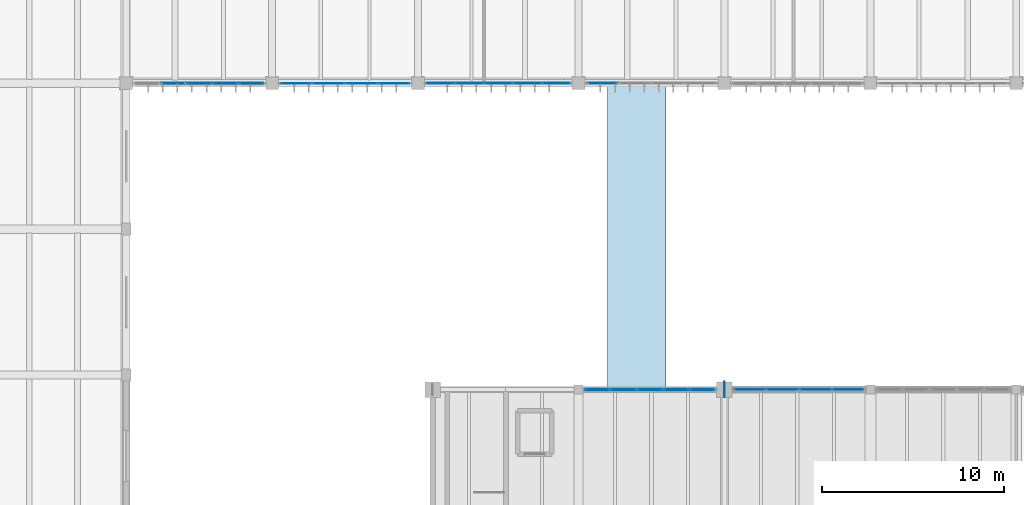
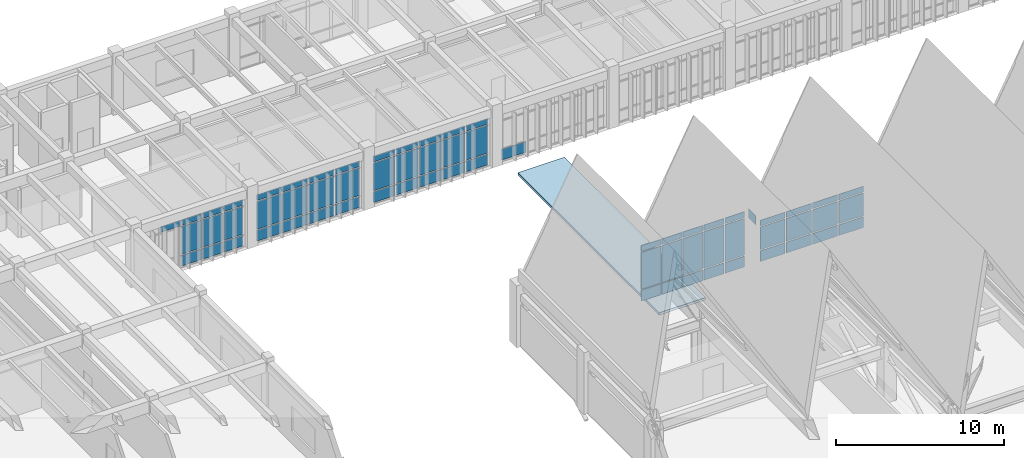
# One storey, part 34 of 72: 66 plates, 1 slab, 6 elements without a shape of their own.
"""IFC4 building model written with IfcOpenShell, lengths in metres."""

from ifc_helpers import new_model, si_unit, direction, frame, origin, origin_2d, place, context, subcontext, project, spatial, polyline, rectangle, outline, extrude, material, layer, layer_set, type_object, element, aggregate, save


model = new_model("IFC4")

# Units and contexts
model_context = context("Model", 3, precision=1e-05, world=origin(), true_north=direction((0.0, 1.0)))
body_context = subcontext(model_context, "Body", "Model", "MODEL_VIEW")
ifc_project = project(units=[si_unit("LENGTHUNIT", "METRE"), si_unit("AREAUNIT", "SQUARE_METRE"), si_unit("VOLUMEUNIT", "CUBIC_METRE"), si_unit("PLANEANGLEUNIT", "RADIAN"), si_unit("MASSUNIT", "GRAM", prefix="KILO")], contexts=[model_context])

# Site, building, storey
site_placement = place(None, origin())
site = spatial("IfcSite", under=ifc_project, at=site_placement, CompositionType="ELEMENT")
building_placement = place(site_placement, origin())
building = spatial("IfcBuilding", under=site, at=building_placement, Name="Tlaxcora Railside Police Headquarters", CompositionType="ELEMENT")
storey_placement = place(building_placement, frame((0.0, 0.0, 13.5)))
storey = spatial("IfcBuildingStorey", under=building, at=storey_placement, Name="L03", CompositionType="ELEMENT", Elevation=13.5)

# Curtain wall, plates
ifc_material_1 = material(Name="Thermally broken low-E insulated glazing", Category="glass")
curtain_wall_type_1 = type_object("IfcCurtainWallType", Name="Unitised Curtain Wall Assembly CW-23", PredefinedType="NOTDEFINED", material=ifc_material_1)
curtain_wall_1_placement = place(storey_placement, origin())
curtain_wall_1 = element("IfcCurtainWall", 1, at=curtain_wall_1_placement, inside=storey, type_object=curtain_wall_type_1, Name="V2 L03 curtain wall 20", PredefinedType="NOTDEFINED")
ifc_layer_1 = layer(ifc_material_1, 0.0400390625, Name="Thermally broken low-E insulated glazing")
ifc_layer_set_1 = layer_set([ifc_layer_1], Name="Thermally broken low-E insulated glazing")
plate_type_1 = type_object("IfcPlateType", Name="Curtain Wall Infill Panel CW-17", PredefinedType="CURTAIN_PANEL", material=ifc_layer_set_1)
plate_1_placement = place(storey_placement, frame((60.782470703125, 60.0, 0.080078125), z_axis=(0.0, 0.0, 1.0), x_axis=(-1.0, 0.0, 0.0)))
plate_1 = element("IfcPlate", 2, at=plate_1_placement, type_object=plate_type_1, Name="CW panel 1.1", PredefinedType="CURTAIN_PANEL", context=body_context, shape_type="SweptSolid", body=[
    extrude(rectangle(XDim=1.324951171875, YDim=0.0400390625, at=origin_2d()), origin(), (0.0, 0.0, 1.0), 0.780029296875),
])
plate_2_placement = place(storey_placement, frame((60.782470703125, 60.0, 0.93994140625), z_axis=(0.0, 0.0, 1.0), x_axis=(-1.0, 0.0, 0.0)))
plate_2 = element("IfcPlate", 3, at=plate_2_placement, type_object=plate_type_1, Name="CW panel 1.2", PredefinedType="CURTAIN_PANEL", context=body_context, shape_type="SweptSolid", body=[
    extrude(rectangle(XDim=1.324951171875, YDim=0.0400390625, at=origin_2d()), origin(), (0.0, 0.0, 1.0), 2.659912109375),
])
plate_3_placement = place(storey_placement, frame((60.782470703125, 60.0, 3.68017578125), z_axis=(0.0, 0.0, 1.0), x_axis=(-1.0, 0.0, 0.0)))
plate_3 = element("IfcPlate", 4, at=plate_3_placement, type_object=plate_type_1, Name="CW panel 1.3", PredefinedType="CURTAIN_PANEL", context=body_context, shape_type="SweptSolid", body=[
    extrude(rectangle(XDim=1.324951171875, YDim=0.0400390625, at=origin_2d()), origin(), (0.0, 0.0, 1.0), 0.409912109375),
])
plate_4_placement = place(storey_placement, frame((59.357421875, 60.0, 0.080078125), z_axis=(0.0, 0.0, 1.0), x_axis=(-1.0, 0.0, 0.0)))
plate_4 = element("IfcPlate", 5, at=plate_4_placement, type_object=plate_type_1, Name="CW panel 2.1", PredefinedType="CURTAIN_PANEL", context=body_context, shape_type="SweptSolid", body=[
    extrude(rectangle(XDim=1.364990234375, YDim=0.0400390625, at=origin_2d()), origin(), (0.0, 0.0, 1.0), 0.780029296875),
])
plate_5_placement = place(storey_placement, frame((59.357421875, 60.0, 0.93994140625), z_axis=(0.0, 0.0, 1.0), x_axis=(-1.0, 0.0, 0.0)))
plate_5 = element("IfcPlate", 6, at=plate_5_placement, type_object=plate_type_1, Name="CW panel 2.2", PredefinedType="CURTAIN_PANEL", context=body_context, shape_type="SweptSolid", body=[
    extrude(rectangle(XDim=1.364990234375, YDim=0.0400390625, at=origin_2d()), origin(), (0.0, 0.0, 1.0), 2.659912109375),
])
plate_6_placement = place(storey_placement, frame((59.357421875, 60.0, 3.68017578125), z_axis=(0.0, 0.0, 1.0), x_axis=(-1.0, 0.0, 0.0)))
plate_6 = element("IfcPlate", 7, at=plate_6_placement, type_object=plate_type_1, Name="CW panel 2.3", PredefinedType="CURTAIN_PANEL", context=body_context, shape_type="SweptSolid", body=[
    extrude(rectangle(XDim=1.364990234375, YDim=0.0400390625, at=origin_2d()), origin(), (0.0, 0.0, 1.0), 0.409912109375),
])
plate_7_placement = place(storey_placement, frame((57.91259765625, 60.0, 0.080078125), z_axis=(0.0, 0.0, 1.0), x_axis=(-1.0, 0.0, 0.0)))
plate_7 = element("IfcPlate", 8, at=plate_7_placement, type_object=plate_type_1, Name="CW panel 3.1", PredefinedType="CURTAIN_PANEL", context=body_context, shape_type="SweptSolid", body=[
    extrude(rectangle(XDim=1.364990234375, YDim=0.0400390625, at=origin_2d()), origin(), (0.0, 0.0, 1.0), 0.780029296875),
])
plate_8_placement = place(storey_placement, frame((57.91259765625, 60.0, 0.93994140625), z_axis=(0.0, 0.0, 1.0), x_axis=(-1.0, 0.0, 0.0)))
plate_8 = element("IfcPlate", 9, at=plate_8_placement, type_object=plate_type_1, Name="CW panel 3.2", PredefinedType="CURTAIN_PANEL", context=body_context, shape_type="SweptSolid", body=[
    extrude(rectangle(XDim=1.364990234375, YDim=0.0400390625, at=origin_2d()), origin(), (0.0, 0.0, 1.0), 2.659912109375),
])
plate_9_placement = place(storey_placement, frame((57.91259765625, 60.0, 3.68017578125), z_axis=(0.0, 0.0, 1.0), x_axis=(-1.0, 0.0, 0.0)))
plate_9 = element("IfcPlate", 10, at=plate_9_placement, type_object=plate_type_1, Name="CW panel 3.3", PredefinedType="CURTAIN_PANEL", context=body_context, shape_type="SweptSolid", body=[
    extrude(rectangle(XDim=1.364990234375, YDim=0.0400390625, at=origin_2d()), origin(), (0.0, 0.0, 1.0), 0.409912109375),
])
plate_10_placement = place(storey_placement, frame((56.467529296875, 60.0, 0.080078125), z_axis=(0.0, 0.0, 1.0), x_axis=(-1.0, 0.0, 0.0)))
plate_10 = element("IfcPlate", 11, at=plate_10_placement, type_object=plate_type_1, Name="CW panel 4.1", PredefinedType="CURTAIN_PANEL", context=body_context, shape_type="SweptSolid", body=[
    extrude(rectangle(XDim=1.364990234375, YDim=0.0400390625, at=origin_2d()), origin(), (0.0, 0.0, 1.0), 0.780029296875),
])
plate_11_placement = place(storey_placement, frame((56.467529296875, 60.0, 0.93994140625), z_axis=(0.0, 0.0, 1.0), x_axis=(-1.0, 0.0, 0.0)))
plate_11 = element("IfcPlate", 12, at=plate_11_placement, type_object=plate_type_1, Name="CW panel 4.2", PredefinedType="CURTAIN_PANEL", context=body_context, shape_type="SweptSolid", body=[
    extrude(rectangle(XDim=1.364990234375, YDim=0.0400390625, at=origin_2d()), origin(), (0.0, 0.0, 1.0), 2.659912109375),
])
plate_12_placement = place(storey_placement, frame((56.467529296875, 60.0, 3.68017578125), z_axis=(0.0, 0.0, 1.0), x_axis=(-1.0, 0.0, 0.0)))
plate_12 = element("IfcPlate", 13, at=plate_12_placement, type_object=plate_type_1, Name="CW panel 4.3", PredefinedType="CURTAIN_PANEL", context=body_context, shape_type="SweptSolid", body=[
    extrude(rectangle(XDim=1.364990234375, YDim=0.0400390625, at=origin_2d()), origin(), (0.0, 0.0, 1.0), 0.409912109375),
])
plate_13_placement = place(storey_placement, frame((55.04248046875, 60.0, 0.080078125), z_axis=(0.0, 0.0, 1.0), x_axis=(-1.0, 0.0, 0.0)))
plate_13 = element("IfcPlate", 14, at=plate_13_placement, type_object=plate_type_1, Name="CW panel 5.1", PredefinedType="CURTAIN_PANEL", context=body_context, shape_type="SweptSolid", body=[
    extrude(rectangle(XDim=1.324951171875, YDim=0.0400390625, at=origin_2d()), origin(), (0.0, 0.0, 1.0), 0.780029296875),
])
plate_14_placement = place(storey_placement, frame((55.04248046875, 60.0, 0.93994140625), z_axis=(0.0, 0.0, 1.0), x_axis=(-1.0, 0.0, 0.0)))
plate_14 = element("IfcPlate", 15, at=plate_14_placement, type_object=plate_type_1, Name="CW panel 5.2", PredefinedType="CURTAIN_PANEL", context=body_context, shape_type="SweptSolid", body=[
    extrude(rectangle(XDim=1.324951171875, YDim=0.0400390625, at=origin_2d()), origin(), (0.0, 0.0, 1.0), 2.659912109375),
])
plate_15_placement = place(storey_placement, frame((55.04248046875, 60.0, 3.68017578125), z_axis=(0.0, 0.0, 1.0), x_axis=(-1.0, 0.0, 0.0)))
plate_15 = element("IfcPlate", 16, at=plate_15_placement, type_object=plate_type_1, Name="CW panel 5.3", PredefinedType="CURTAIN_PANEL", context=body_context, shape_type="SweptSolid", body=[
    extrude(rectangle(XDim=1.324951171875, YDim=0.0400390625, at=origin_2d()), origin(), (0.0, 0.0, 1.0), 0.409912109375),
])
aggregate(curtain_wall_1, [plate_1, plate_2, plate_3, plate_4, plate_5, plate_6, plate_7, plate_8, plate_9, plate_10, plate_11, plate_12, plate_13, plate_14, plate_15])

curtain_wall_2_placement = place(storey_placement, origin())
curtain_wall_2 = element("IfcCurtainWall", 17, at=curtain_wall_2_placement, inside=storey, type_object=curtain_wall_type_1, Name="V5 L03 curtain wall 72", PredefinedType="NOTDEFINED")
plate_16_placement = place(storey_placement, frame((31.760009765625, 76.800048828125, 3.0302734375), z_axis=(0.0, 0.0, 1.0), x_axis=(1.0, 0.0, 0.0)))
plate_16 = element("IfcPlate", 18, at=plate_16_placement, type_object=plate_type_1, Name="CW panel 2.3", PredefinedType="CURTAIN_PANEL", context=body_context, shape_type="SweptSolid", body=[
    extrude(rectangle(XDim=1.360107421875, YDim=0.0400390625, at=origin_2d()), origin(), (0.0, 0.0, 1.0), 0.409912109375),
])
plate_17_placement = place(storey_placement, frame((33.199951171875, 76.800048828125, 0.080078125), z_axis=(0.0, 0.0, 1.0), x_axis=(1.0, 0.0, 0.0)))
plate_17 = element("IfcPlate", 19, at=plate_17_placement, type_object=plate_type_1, Name="CW panel 3.1", PredefinedType="CURTAIN_PANEL", context=body_context, shape_type="SweptSolid", body=[
    extrude(rectangle(XDim=1.360107421875, YDim=0.0400390625, at=origin_2d()), origin(), (0.0, 0.0, 1.0), 0.780029296875),
])
plate_18_placement = place(storey_placement, frame((33.199951171875, 76.800048828125, 0.93994140625), z_axis=(0.0, 0.0, 1.0), x_axis=(1.0, 0.0, 0.0)))
plate_18 = element("IfcPlate", 20, at=plate_18_placement, type_object=plate_type_1, Name="CW panel 3.2", PredefinedType="CURTAIN_PANEL", context=body_context, shape_type="SweptSolid", body=[
    extrude(rectangle(XDim=1.360107421875, YDim=0.0400390625, at=origin_2d()), origin(), (0.0, 0.0, 1.0), 2.010009765625),
])
plate_19_placement = place(storey_placement, frame((33.199951171875, 76.800048828125, 3.0302734375), z_axis=(0.0, 0.0, 1.0), x_axis=(1.0, 0.0, 0.0)))
plate_19 = element("IfcPlate", 21, at=plate_19_placement, type_object=plate_type_1, Name="CW panel 3.3", PredefinedType="CURTAIN_PANEL", context=body_context, shape_type="SweptSolid", body=[
    extrude(rectangle(XDim=1.360107421875, YDim=0.0400390625, at=origin_2d()), origin(), (0.0, 0.0, 1.0), 0.409912109375),
])
plate_20_placement = place(storey_placement, frame((34.639892578125, 76.800048828125, 0.080078125), z_axis=(0.0, 0.0, 1.0), x_axis=(1.0, 0.0, 0.0)))
plate_20 = element("IfcPlate", 22, at=plate_20_placement, type_object=plate_type_1, Name="CW panel 4.1", PredefinedType="CURTAIN_PANEL", context=body_context, shape_type="SweptSolid", body=[
    extrude(rectangle(XDim=1.360107421875, YDim=0.0400390625, at=origin_2d()), origin(), (0.0, 0.0, 1.0), 0.780029296875),
])
plate_21_placement = place(storey_placement, frame((34.639892578125, 76.800048828125, 0.93994140625), z_axis=(0.0, 0.0, 1.0), x_axis=(1.0, 0.0, 0.0)))
plate_21 = element("IfcPlate", 23, at=plate_21_placement, type_object=plate_type_1, Name="CW panel 4.2", PredefinedType="CURTAIN_PANEL", context=body_context, shape_type="SweptSolid", body=[
    extrude(rectangle(XDim=1.360107421875, YDim=0.0400390625, at=origin_2d()), origin(), (0.0, 0.0, 1.0), 2.010009765625),
])
plate_22_placement = place(storey_placement, frame((34.639892578125, 76.800048828125, 3.0302734375), z_axis=(0.0, 0.0, 1.0), x_axis=(1.0, 0.0, 0.0)))
plate_22 = element("IfcPlate", 24, at=plate_22_placement, type_object=plate_type_1, Name="CW panel 4.3", PredefinedType="CURTAIN_PANEL", context=body_context, shape_type="SweptSolid", body=[
    extrude(rectangle(XDim=1.360107421875, YDim=0.0400390625, at=origin_2d()), origin(), (0.0, 0.0, 1.0), 0.409912109375),
])
plate_23_placement = place(storey_placement, frame((36.06005859375, 76.800048828125, 0.080078125), z_axis=(0.0, 0.0, 1.0), x_axis=(1.0, 0.0, 0.0)))
plate_23 = element("IfcPlate", 25, at=plate_23_placement, type_object=plate_type_1, Name="CW panel 5.1", PredefinedType="CURTAIN_PANEL", context=body_context, shape_type="SweptSolid", body=[
    extrude(rectangle(XDim=1.320068359375, YDim=0.0400390625, at=origin_2d()), origin(), (0.0, 0.0, 1.0), 0.780029296875),
])
plate_24_placement = place(storey_placement, frame((36.06005859375, 76.800048828125, 0.93994140625), z_axis=(0.0, 0.0, 1.0), x_axis=(1.0, 0.0, 0.0)))
plate_24 = element("IfcPlate", 26, at=plate_24_placement, type_object=plate_type_1, Name="CW panel 5.2", PredefinedType="CURTAIN_PANEL", context=body_context, shape_type="SweptSolid", body=[
    extrude(rectangle(XDim=1.320068359375, YDim=0.0400390625, at=origin_2d()), origin(), (0.0, 0.0, 1.0), 2.010009765625),
])
plate_25_placement = place(storey_placement, frame((36.06005859375, 76.800048828125, 3.0302734375), z_axis=(0.0, 0.0, 1.0), x_axis=(1.0, 0.0, 0.0)))
plate_25 = element("IfcPlate", 27, at=plate_25_placement, type_object=plate_type_1, Name="CW panel 5.3", PredefinedType="CURTAIN_PANEL", context=body_context, shape_type="SweptSolid", body=[
    extrude(rectangle(XDim=1.320068359375, YDim=0.0400390625, at=origin_2d()), origin(), (0.0, 0.0, 1.0), 0.409912109375),
])
aggregate(curtain_wall_2, [plate_16, plate_17, plate_18, plate_19, plate_20, plate_21, plate_22, plate_23, plate_24, plate_25])

curtain_wall_type_2 = type_object("IfcCurtainWallType", Name="Unitised Curtain Wall Assembly CW-15", PredefinedType="NOTDEFINED", material=ifc_material_1)
curtain_wall_3_placement = place(storey_placement, origin())
curtain_wall_3 = element("IfcCurtainWall", 28, at=curtain_wall_3_placement, inside=storey, type_object=curtain_wall_type_2, Name="V5 L03 curtain wall 74", PredefinedType="NOTDEFINED")
ifc_layer_2 = layer(ifc_material_1, 0.031982421875, Name="Thermally broken low-E insulated glazing")
ifc_layer_set_2 = layer_set([ifc_layer_2], Name="Thermally broken low-E insulated glazing")
plate_type_2 = type_object("IfcPlateType", Name="Curtain Wall Infill Panel CW-41", PredefinedType="CURTAIN_PANEL", material=ifc_layer_set_2)
plate_26_placement = place(storey_placement, frame((46.418701171875, 76.800048828125, 0.074951171875), z_axis=(0.0, 0.0, 1.0), x_axis=(1.0, 0.0, 0.0)))
plate_26 = element("IfcPlate", 29, at=plate_26_placement, type_object=plate_type_2, Name="CW panel 1.1", PredefinedType="CURTAIN_PANEL", context=body_context, shape_type="SweptSolid", body=[
    extrude(rectangle(XDim=1.487548828125, YDim=0.031982421875, at=origin_2d()), origin(), (0.0, 0.0, 1.0), 0.78759765625),
])
plate_27_placement = place(storey_placement, frame((46.418701171875, 76.800048828125, 0.9375), z_axis=(0.0, 0.0, 1.0), x_axis=(1.0, 0.0, 0.0)))
plate_27 = element("IfcPlate", 30, at=plate_27_placement, type_object=plate_type_2, Name="CW panel 1.2", PredefinedType="CURTAIN_PANEL", context=body_context, shape_type="SweptSolid", body=[
    extrude(rectangle(XDim=1.487548828125, YDim=0.031982421875, at=origin_2d()), origin(), (0.0, 0.0, 1.0), 2.014892578125),
])
plate_28_placement = place(storey_placement, frame((46.418701171875, 76.800048828125, 3.027587890625), z_axis=(0.0, 0.0, 1.0), x_axis=(1.0, 0.0, 0.0)))
plate_28 = element("IfcPlate", 31, at=plate_28_placement, type_object=plate_type_2, Name="CW panel 1.3", PredefinedType="CURTAIN_PANEL", context=body_context, shape_type="SweptSolid", body=[
    extrude(rectangle(XDim=1.487548828125, YDim=0.031982421875, at=origin_2d()), origin(), (0.0, 0.0, 1.0), 0.41748046875),
])
plate_29_placement = place(storey_placement, frame((48.0, 76.800048828125, 0.074951171875), z_axis=(0.0, 0.0, 1.0), x_axis=(1.0, 0.0, 0.0)))
plate_29 = element("IfcPlate", 32, at=plate_29_placement, type_object=plate_type_2, Name="CW panel 2.1", PredefinedType="CURTAIN_PANEL", context=body_context, shape_type="SweptSolid", body=[
    extrude(rectangle(XDim=1.52490234375, YDim=0.031982421875, at=origin_2d()), origin(), (0.0, 0.0, 1.0), 0.78759765625),
])
plate_30_placement = place(storey_placement, frame((48.0, 76.800048828125, 0.9375), z_axis=(0.0, 0.0, 1.0), x_axis=(1.0, 0.0, 0.0)))
plate_30 = element("IfcPlate", 33, at=plate_30_placement, type_object=plate_type_2, Name="CW panel 2.2", PredefinedType="CURTAIN_PANEL", context=body_context, shape_type="SweptSolid", body=[
    extrude(rectangle(XDim=1.52490234375, YDim=0.031982421875, at=origin_2d()), origin(), (0.0, 0.0, 1.0), 2.014892578125),
])
plate_31_placement = place(storey_placement, frame((48.0, 76.800048828125, 3.027587890625), z_axis=(0.0, 0.0, 1.0), x_axis=(1.0, 0.0, 0.0)))
plate_31 = element("IfcPlate", 34, at=plate_31_placement, type_object=plate_type_2, Name="CW panel 2.3", PredefinedType="CURTAIN_PANEL", context=body_context, shape_type="SweptSolid", body=[
    extrude(rectangle(XDim=1.52490234375, YDim=0.031982421875, at=origin_2d()), origin(), (0.0, 0.0, 1.0), 0.41748046875),
])
plate_32_placement = place(storey_placement, frame((49.60009765625, 76.800048828125, 0.074951171875), z_axis=(0.0, 0.0, 1.0), x_axis=(1.0, 0.0, 0.0)))
plate_32 = element("IfcPlate", 35, at=plate_32_placement, type_object=plate_type_2, Name="CW panel 3.1", PredefinedType="CURTAIN_PANEL", context=body_context, shape_type="SweptSolid", body=[
    extrude(rectangle(XDim=1.52490234375, YDim=0.031982421875, at=origin_2d()), origin(), (0.0, 0.0, 1.0), 0.78759765625),
])
plate_33_placement = place(storey_placement, frame((49.60009765625, 76.800048828125, 0.9375), z_axis=(0.0, 0.0, 1.0), x_axis=(1.0, 0.0, 0.0)))
plate_33 = element("IfcPlate", 36, at=plate_33_placement, type_object=plate_type_2, Name="CW panel 3.2", PredefinedType="CURTAIN_PANEL", context=body_context, shape_type="SweptSolid", body=[
    extrude(rectangle(XDim=1.52490234375, YDim=0.031982421875, at=origin_2d()), origin(), (0.0, 0.0, 1.0), 2.014892578125),
])
plate_34_placement = place(storey_placement, frame((49.60009765625, 76.800048828125, 3.027587890625), z_axis=(0.0, 0.0, 1.0), x_axis=(1.0, 0.0, 0.0)))
plate_34 = element("IfcPlate", 37, at=plate_34_placement, type_object=plate_type_2, Name="CW panel 3.3", PredefinedType="CURTAIN_PANEL", context=body_context, shape_type="SweptSolid", body=[
    extrude(rectangle(XDim=1.52490234375, YDim=0.031982421875, at=origin_2d()), origin(), (0.0, 0.0, 1.0), 0.41748046875),
])
plate_35_placement = place(storey_placement, frame((51.199951171875, 76.800048828125, 0.074951171875), z_axis=(0.0, 0.0, 1.0), x_axis=(1.0, 0.0, 0.0)))
plate_35 = element("IfcPlate", 38, at=plate_35_placement, type_object=plate_type_2, Name="CW panel 4.1", PredefinedType="CURTAIN_PANEL", context=body_context, shape_type="SweptSolid", body=[
    extrude(rectangle(XDim=1.52490234375, YDim=0.031982421875, at=origin_2d()), origin(), (0.0, 0.0, 1.0), 0.78759765625),
])
plate_36_placement = place(storey_placement, frame((51.199951171875, 76.800048828125, 0.9375), z_axis=(0.0, 0.0, 1.0), x_axis=(1.0, 0.0, 0.0)))
plate_36 = element("IfcPlate", 39, at=plate_36_placement, type_object=plate_type_2, Name="CW panel 4.2", PredefinedType="CURTAIN_PANEL", context=body_context, shape_type="SweptSolid", body=[
    extrude(rectangle(XDim=1.52490234375, YDim=0.031982421875, at=origin_2d()), origin(), (0.0, 0.0, 1.0), 2.014892578125),
])
plate_37_placement = place(storey_placement, frame((51.199951171875, 76.800048828125, 3.027587890625), z_axis=(0.0, 0.0, 1.0), x_axis=(1.0, 0.0, 0.0)))
plate_37 = element("IfcPlate", 40, at=plate_37_placement, type_object=plate_type_2, Name="CW panel 4.3", PredefinedType="CURTAIN_PANEL", context=body_context, shape_type="SweptSolid", body=[
    extrude(rectangle(XDim=1.52490234375, YDim=0.031982421875, at=origin_2d()), origin(), (0.0, 0.0, 1.0), 0.41748046875),
])
plate_38_placement = place(storey_placement, frame((52.78125, 76.800048828125, 0.074951171875), z_axis=(0.0, 0.0, 1.0), x_axis=(1.0, 0.0, 0.0)))
plate_38 = element("IfcPlate", 41, at=plate_38_placement, type_object=plate_type_2, Name="CW panel 5.1", PredefinedType="CURTAIN_PANEL", context=body_context, shape_type="SweptSolid", body=[
    extrude(rectangle(XDim=1.487548828125, YDim=0.031982421875, at=origin_2d()), origin(), (0.0, 0.0, 1.0), 0.78759765625),
])
plate_39_placement = place(storey_placement, frame((52.78125, 76.800048828125, 0.9375), z_axis=(0.0, 0.0, 1.0), x_axis=(1.0, 0.0, 0.0)))
plate_39 = element("IfcPlate", 42, at=plate_39_placement, type_object=plate_type_2, Name="CW panel 5.2", PredefinedType="CURTAIN_PANEL", context=body_context, shape_type="SweptSolid", body=[
    extrude(rectangle(XDim=1.487548828125, YDim=0.031982421875, at=origin_2d()), origin(), (0.0, 0.0, 1.0), 2.014892578125),
])
plate_40_placement = place(storey_placement, frame((52.78125, 76.800048828125, 3.027587890625), z_axis=(0.0, 0.0, 1.0), x_axis=(1.0, 0.0, 0.0)))
plate_40 = element("IfcPlate", 43, at=plate_40_placement, type_object=plate_type_2, Name="CW panel 5.3", PredefinedType="CURTAIN_PANEL", context=body_context, shape_type="SweptSolid", body=[
    extrude(rectangle(XDim=1.487548828125, YDim=0.031982421875, at=origin_2d()), origin(), (0.0, 0.0, 1.0), 0.41748046875),
])
aggregate(curtain_wall_3, [plate_26, plate_27, plate_28, plate_29, plate_30, plate_31, plate_32, plate_33, plate_34, plate_35, plate_36, plate_37, plate_38, plate_39, plate_40])

curtain_wall_type_3 = type_object("IfcCurtainWallType", Name="Unitised Curtain Wall Assembly CW-83", PredefinedType="NOTDEFINED", material=ifc_material_1)
curtain_wall_4_placement = place(storey_placement, origin())
curtain_wall_4 = element("IfcCurtainWall", 44, at=curtain_wall_4_placement, inside=storey, type_object=curtain_wall_type_3, Name="V2 L03 curtain wall 19", PredefinedType="NOTDEFINED")
ifc_layer_3 = layer(ifc_material_1, 0.035888671875, Name="Thermally broken low-E insulated glazing")
ifc_layer_set_3 = layer_set([ifc_layer_3], Name="Thermally broken low-E insulated glazing")
plate_type_3 = type_object("IfcPlateType", Name="Curtain Wall Infill Panel CW-72", PredefinedType="CURTAIN_PANEL", material=ifc_layer_set_3)
plate_41_placement = place(storey_placement, frame((68.77685546875, 60.0, 0.080078125), z_axis=(0.0, 0.0, 1.0), x_axis=(-1.0, 0.0, 0.0)))
plate_41 = element("IfcPlate", 45, at=plate_41_placement, type_object=plate_type_3, Name="CW panel 1.1", PredefinedType="CURTAIN_PANEL", context=body_context, shape_type="SweptSolid", body=[
    extrude(rectangle(XDim=1.686279296875, YDim=0.035888671875, at=origin_2d()), origin(), (0.0, 0.0, 1.0), 0.780029296875),
])
plate_42_placement = place(storey_placement, frame((68.77685546875, 60.0, 0.93994140625), z_axis=(0.0, 0.0, 1.0), x_axis=(-1.0, 0.0, 0.0)))
plate_42 = element("IfcPlate", 46, at=plate_42_placement, type_object=plate_type_3, Name="CW panel 1.2", PredefinedType="CURTAIN_PANEL", context=body_context, shape_type="SweptSolid", body=[
    extrude(rectangle(XDim=1.686279296875, YDim=0.035888671875, at=origin_2d()), origin(), (0.0, 0.0, 1.0), 1.64501953125),
])
plate_43_placement = place(storey_placement, frame((68.77685546875, 60.0, 2.6650390625), z_axis=(0.0, 0.0, 1.0), x_axis=(-1.0, 0.0, 0.0)))
plate_43 = element("IfcPlate", 47, at=plate_43_placement, type_object=plate_type_3, Name="CW panel 1.3", PredefinedType="CURTAIN_PANEL", context=body_context, shape_type="SweptSolid", body=[
    extrude(rectangle(XDim=1.686279296875, YDim=0.035888671875, at=origin_2d()), origin(), (0.0, 0.0, 1.0), 0.409912109375),
])
plate_44_placement = place(storey_placement, frame((66.99072265625, 60.0, 0.080078125), z_axis=(0.0, 0.0, 1.0), x_axis=(-1.0, 0.0, 0.0)))
plate_44 = element("IfcPlate", 48, at=plate_44_placement, type_object=plate_type_3, Name="CW panel 2.1", PredefinedType="CURTAIN_PANEL", context=body_context, shape_type="SweptSolid", body=[
    extrude(rectangle(XDim=1.726318359375, YDim=0.035888671875, at=origin_2d()), origin(), (0.0, 0.0, 1.0), 0.780029296875),
])
plate_45_placement = place(storey_placement, frame((66.99072265625, 60.0, 0.93994140625), z_axis=(0.0, 0.0, 1.0), x_axis=(-1.0, 0.0, 0.0)))
plate_45 = element("IfcPlate", 49, at=plate_45_placement, type_object=plate_type_3, Name="CW panel 2.2", PredefinedType="CURTAIN_PANEL", context=body_context, shape_type="SweptSolid", body=[
    extrude(rectangle(XDim=1.726318359375, YDim=0.035888671875, at=origin_2d()), origin(), (0.0, 0.0, 1.0), 1.64501953125),
])
plate_46_placement = place(storey_placement, frame((66.99072265625, 60.0, 2.6650390625), z_axis=(0.0, 0.0, 1.0), x_axis=(-1.0, 0.0, 0.0)))
plate_46 = element("IfcPlate", 50, at=plate_46_placement, type_object=plate_type_3, Name="CW panel 2.3", PredefinedType="CURTAIN_PANEL", context=body_context, shape_type="SweptSolid", body=[
    extrude(rectangle(XDim=1.726318359375, YDim=0.035888671875, at=origin_2d()), origin(), (0.0, 0.0, 1.0), 0.409912109375),
])
plate_47_placement = place(storey_placement, frame((65.184326171875, 60.0, 0.080078125), z_axis=(0.0, 0.0, 1.0), x_axis=(-1.0, 0.0, 0.0)))
plate_47 = element("IfcPlate", 51, at=plate_47_placement, type_object=plate_type_3, Name="CW panel 3.1", PredefinedType="CURTAIN_PANEL", context=body_context, shape_type="SweptSolid", body=[
    extrude(rectangle(XDim=1.726318359375, YDim=0.035888671875, at=origin_2d()), origin(), (0.0, 0.0, 1.0), 0.780029296875),
])
plate_48_placement = place(storey_placement, frame((65.184326171875, 60.0, 0.93994140625), z_axis=(0.0, 0.0, 1.0), x_axis=(-1.0, 0.0, 0.0)))
plate_48 = element("IfcPlate", 52, at=plate_48_placement, type_object=plate_type_3, Name="CW panel 3.2", PredefinedType="CURTAIN_PANEL", context=body_context, shape_type="SweptSolid", body=[
    extrude(rectangle(XDim=1.726318359375, YDim=0.035888671875, at=origin_2d()), origin(), (0.0, 0.0, 1.0), 1.64501953125),
])
plate_49_placement = place(storey_placement, frame((65.184326171875, 60.0, 2.6650390625), z_axis=(0.0, 0.0, 1.0), x_axis=(-1.0, 0.0, 0.0)))
plate_49 = element("IfcPlate", 53, at=plate_49_placement, type_object=plate_type_3, Name="CW panel 3.3", PredefinedType="CURTAIN_PANEL", context=body_context, shape_type="SweptSolid", body=[
    extrude(rectangle(XDim=1.726318359375, YDim=0.035888671875, at=origin_2d()), origin(), (0.0, 0.0, 1.0), 0.409912109375),
])
plate_50_placement = place(storey_placement, frame((63.398193359375, 60.0, 0.080078125), z_axis=(0.0, 0.0, 1.0), x_axis=(-1.0, 0.0, 0.0)))
plate_50 = element("IfcPlate", 54, at=plate_50_placement, type_object=plate_type_3, Name="CW panel 4.1", PredefinedType="CURTAIN_PANEL", context=body_context, shape_type="SweptSolid", body=[
    extrude(rectangle(XDim=1.686279296875, YDim=0.035888671875, at=origin_2d()), origin(), (0.0, 0.0, 1.0), 0.780029296875),
])
plate_51_placement = place(storey_placement, frame((63.398193359375, 60.0, 0.93994140625), z_axis=(0.0, 0.0, 1.0), x_axis=(-1.0, 0.0, 0.0)))
plate_51 = element("IfcPlate", 55, at=plate_51_placement, type_object=plate_type_3, Name="CW panel 4.2", PredefinedType="CURTAIN_PANEL", context=body_context, shape_type="SweptSolid", body=[
    extrude(rectangle(XDim=1.686279296875, YDim=0.035888671875, at=origin_2d()), origin(), (0.0, 0.0, 1.0), 1.64501953125),
])
plate_52_placement = place(storey_placement, frame((63.398193359375, 60.0, 2.6650390625), z_axis=(0.0, 0.0, 1.0), x_axis=(-1.0, 0.0, 0.0)))
plate_52 = element("IfcPlate", 56, at=plate_52_placement, type_object=plate_type_3, Name="CW panel 4.3", PredefinedType="CURTAIN_PANEL", context=body_context, shape_type="SweptSolid", body=[
    extrude(rectangle(XDim=1.686279296875, YDim=0.035888671875, at=origin_2d()), origin(), (0.0, 0.0, 1.0), 0.409912109375),
])
aggregate(curtain_wall_4, [plate_41, plate_42, plate_43, plate_44, plate_45, plate_46, plate_47, plate_48, plate_49, plate_50, plate_51, plate_52])

# Curtain wall, plate
curtain_wall_5_placement = place(storey_placement, origin())
curtain_wall_5 = element("IfcCurtainWall", 57, at=curtain_wall_5_placement, inside=storey, type_object=curtain_wall_type_3, Name="V5 L03 curtain wall 75", PredefinedType="NOTDEFINED")
plate_53_placement = place(storey_placement, frame((55.320068359375, 76.800048828125, 0.080078125), z_axis=(0.0, 0.0, 1.0), x_axis=(1.0, 0.0, 0.0)))
plate_53 = element("IfcPlate", 58, at=plate_53_placement, type_object=plate_type_3, Name="CW panel 1.1", PredefinedType="CURTAIN_PANEL", context=body_context, shape_type="SweptSolid", body=[
    extrude(rectangle(XDim=1.679931640625, YDim=0.035888671875, at=origin_2d()), origin(), (0.0, 0.0, 1.0), 0.780029296875),
])
aggregate(curtain_wall_5, [plate_53])

# Curtain wall, plates
curtain_wall_type_4 = type_object("IfcCurtainWallType", Name="Unitised Curtain Wall Assembly CW-38", PredefinedType="NOTDEFINED", material=ifc_material_1)
curtain_wall_6_placement = place(storey_placement, origin())
curtain_wall_6 = element("IfcCurtainWall", 59, at=curtain_wall_6_placement, inside=storey, type_object=curtain_wall_type_4, Name="V5 L03 curtain wall 73", PredefinedType="NOTDEFINED")
ifc_layer_4 = layer(ifc_material_1, 0.028076171875, Name="Thermally broken low-E insulated glazing")
ifc_layer_set_4 = layer_set([ifc_layer_4], Name="Thermally broken low-E insulated glazing")
plate_type_4 = type_object("IfcPlateType", Name="Curtain Wall Infill Panel CW-92", PredefinedType="CURTAIN_PANEL", material=ifc_layer_set_4)
plate_54_placement = place(storey_placement, frame((38.518798828125, 76.800048828125, 0.074951171875), z_axis=(0.0, 0.0, 1.0), x_axis=(1.0, 0.0, 0.0)))
plate_54 = element("IfcPlate", 60, at=plate_54_placement, type_object=plate_type_4, Name="CW panel 1.1", PredefinedType="CURTAIN_PANEL", context=body_context, shape_type="SweptSolid", body=[
    extrude(rectangle(XDim=1.6875, YDim=0.028076171875, at=origin_2d()), origin(), (0.0, 0.0, 1.0), 0.78759765625),
])
plate_55_placement = place(storey_placement, frame((38.518798828125, 76.800048828125, 0.9375), z_axis=(0.0, 0.0, 1.0), x_axis=(1.0, 0.0, 0.0)))
plate_55 = element("IfcPlate", 61, at=plate_55_placement, type_object=plate_type_4, Name="CW panel 1.2", PredefinedType="CURTAIN_PANEL", context=body_context, shape_type="SweptSolid", body=[
    extrude(rectangle(XDim=1.6875, YDim=0.028076171875, at=origin_2d()), origin(), (0.0, 0.0, 1.0), 2.014892578125),
])
plate_56_placement = place(storey_placement, frame((38.518798828125, 76.800048828125, 3.027587890625), z_axis=(0.0, 0.0, 1.0), x_axis=(1.0, 0.0, 0.0)))
plate_56 = element("IfcPlate", 62, at=plate_56_placement, type_object=plate_type_4, Name="CW panel 1.3", PredefinedType="CURTAIN_PANEL", context=body_context, shape_type="SweptSolid", body=[
    extrude(rectangle(XDim=1.6875, YDim=0.028076171875, at=origin_2d()), origin(), (0.0, 0.0, 1.0), 0.41748046875),
])
plate_57_placement = place(storey_placement, frame((40.300048828125, 76.800048828125, 0.074951171875), z_axis=(0.0, 0.0, 1.0), x_axis=(1.0, 0.0, 0.0)))
plate_57 = element("IfcPlate", 63, at=plate_57_placement, type_object=plate_type_4, Name="CW panel 2.1", PredefinedType="CURTAIN_PANEL", context=body_context, shape_type="SweptSolid", body=[
    extrude(rectangle(XDim=1.72509765625, YDim=0.028076171875, at=origin_2d()), origin(), (0.0, 0.0, 1.0), 0.78759765625),
])
plate_58_placement = place(storey_placement, frame((40.300048828125, 76.800048828125, 0.9375), z_axis=(0.0, 0.0, 1.0), x_axis=(1.0, 0.0, 0.0)))
plate_58 = element("IfcPlate", 64, at=plate_58_placement, type_object=plate_type_4, Name="CW panel 2.2", PredefinedType="CURTAIN_PANEL", context=body_context, shape_type="SweptSolid", body=[
    extrude(rectangle(XDim=1.72509765625, YDim=0.028076171875, at=origin_2d()), origin(), (0.0, 0.0, 1.0), 2.014892578125),
])
plate_59_placement = place(storey_placement, frame((40.300048828125, 76.800048828125, 3.027587890625), z_axis=(0.0, 0.0, 1.0), x_axis=(1.0, 0.0, 0.0)))
plate_59 = element("IfcPlate", 65, at=plate_59_placement, type_object=plate_type_4, Name="CW panel 2.3", PredefinedType="CURTAIN_PANEL", context=body_context, shape_type="SweptSolid", body=[
    extrude(rectangle(XDim=1.72509765625, YDim=0.028076171875, at=origin_2d()), origin(), (0.0, 0.0, 1.0), 0.41748046875),
])
plate_60_placement = place(storey_placement, frame((42.10009765625, 76.800048828125, 0.074951171875), z_axis=(0.0, 0.0, 1.0), x_axis=(1.0, 0.0, 0.0)))
plate_60 = element("IfcPlate", 66, at=plate_60_placement, type_object=plate_type_4, Name="CW panel 3.1", PredefinedType="CURTAIN_PANEL", context=body_context, shape_type="SweptSolid", body=[
    extrude(rectangle(XDim=1.72509765625, YDim=0.028076171875, at=origin_2d()), origin(), (0.0, 0.0, 1.0), 0.78759765625),
])
plate_61_placement = place(storey_placement, frame((42.10009765625, 76.800048828125, 0.9375), z_axis=(0.0, 0.0, 1.0), x_axis=(1.0, 0.0, 0.0)))
plate_61 = element("IfcPlate", 67, at=plate_61_placement, type_object=plate_type_4, Name="CW panel 3.2", PredefinedType="CURTAIN_PANEL", context=body_context, shape_type="SweptSolid", body=[
    extrude(rectangle(XDim=1.72509765625, YDim=0.028076171875, at=origin_2d()), origin(), (0.0, 0.0, 1.0), 2.014892578125),
])
plate_62_placement = place(storey_placement, frame((42.10009765625, 76.800048828125, 3.027587890625), z_axis=(0.0, 0.0, 1.0), x_axis=(1.0, 0.0, 0.0)))
plate_62 = element("IfcPlate", 68, at=plate_62_placement, type_object=plate_type_4, Name="CW panel 3.3", PredefinedType="CURTAIN_PANEL", context=body_context, shape_type="SweptSolid", body=[
    extrude(rectangle(XDim=1.72509765625, YDim=0.028076171875, at=origin_2d()), origin(), (0.0, 0.0, 1.0), 0.41748046875),
])
plate_63_placement = place(storey_placement, frame((43.88134765625, 76.800048828125, 0.074951171875), z_axis=(0.0, 0.0, 1.0), x_axis=(1.0, 0.0, 0.0)))
plate_63 = element("IfcPlate", 69, at=plate_63_placement, type_object=plate_type_4, Name="CW panel 4.1", PredefinedType="CURTAIN_PANEL", context=body_context, shape_type="SweptSolid", body=[
    extrude(rectangle(XDim=1.6875, YDim=0.028076171875, at=origin_2d()), origin(), (0.0, 0.0, 1.0), 0.78759765625),
])
plate_64_placement = place(storey_placement, frame((43.88134765625, 76.800048828125, 0.9375), z_axis=(0.0, 0.0, 1.0), x_axis=(1.0, 0.0, 0.0)))
plate_64 = element("IfcPlate", 70, at=plate_64_placement, type_object=plate_type_4, Name="CW panel 4.2", PredefinedType="CURTAIN_PANEL", context=body_context, shape_type="SweptSolid", body=[
    extrude(rectangle(XDim=1.6875, YDim=0.028076171875, at=origin_2d()), origin(), (0.0, 0.0, 1.0), 2.014892578125),
])
plate_65_placement = place(storey_placement, frame((43.88134765625, 76.800048828125, 3.027587890625), z_axis=(0.0, 0.0, 1.0), x_axis=(1.0, 0.0, 0.0)))
plate_65 = element("IfcPlate", 71, at=plate_65_placement, type_object=plate_type_4, Name="CW panel 4.3", PredefinedType="CURTAIN_PANEL", context=body_context, shape_type="SweptSolid", body=[
    extrude(rectangle(XDim=1.6875, YDim=0.028076171875, at=origin_2d()), origin(), (0.0, 0.0, 1.0), 0.41748046875),
])
aggregate(curtain_wall_6, [plate_54, plate_55, plate_56, plate_57, plate_58, plate_59, plate_60, plate_61, plate_62, plate_63, plate_64, plate_65])

# Slab
ifc_material_2 = material(Name="Concrete C40/50", Category="concrete")
ifc_layer_5 = layer(ifc_material_2, 0.179931640625, Name="Concrete C40/50")
ifc_layer_set_5 = layer_set([ifc_layer_5], Name="Concrete C40/50")
slab_type = type_object("IfcSlabType", Name="Folded or Flat Roof Slab SL-50", PredefinedType="ROOF", material=ifc_layer_set_5)
slab_placement = place(storey_placement, frame((0.0, 0.0, -1.39990234375)))
element("IfcSlab", 72, at=slab_placement, inside=storey, type_object=slab_type, Name="L02 link bridge roof slab", PredefinedType="ROOF", context=body_context, shape_type="SweptSolid", body=[
    extrude(outline(polyline([(55.60009765625, 60.0), (58.800048828125, 60.0), (58.800048828125, 76.800048828125), (55.60009765625, 76.800048828125), (55.60009765625, 60.0)])), origin(), (0.0, 0.0, 1.0), 0.179931640625),
])

# Plate
ifc_material_3 = material(Name="Steel ASTM A992 Grade 50", Category="steel")
ifc_layer_6 = layer(ifc_material_3, 0.02587890625, Name="Steel ASTM A992 Grade 50")
ifc_layer_set_6 = layer_set([ifc_layer_6], Name="Steel ASTM A992 Grade 50")
plate_type_5 = type_object("IfcPlateType", Name="Structural Gusset or Cap Plate GP-83", PredefinedType="USERDEFINED", material=ifc_layer_set_6)
plate_66_placement = place(storey_placement, frame((62.0, 60.0, 3.195068359375), z_axis=(0.0, 0.0, 1.0), x_axis=(0.0, 1.0, 0.0)))
element("IfcPlate", 73, at=plate_66_placement, inside=storey, type_object=plate_type_5, Name="Truss top-chord gusset plate KNT-2-0", ObjectType="GUSSET PLATE", PredefinedType="USERDEFINED", context=body_context, shape_type="SweptSolid", body=[
    extrude(rectangle(XDim=0.85009765625, YDim=0.02587890625, at=origin_2d()), origin(), (0.0, 0.0, 1.0), 0.64990234375),
])

save(model, "model.ifc")
